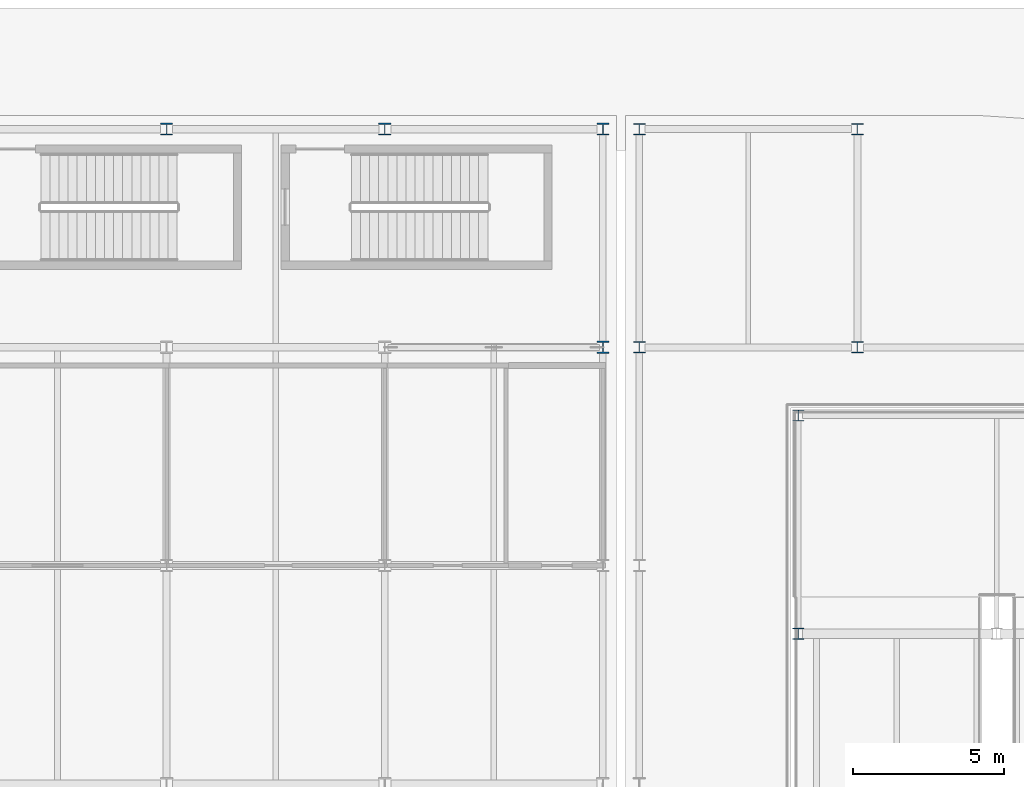
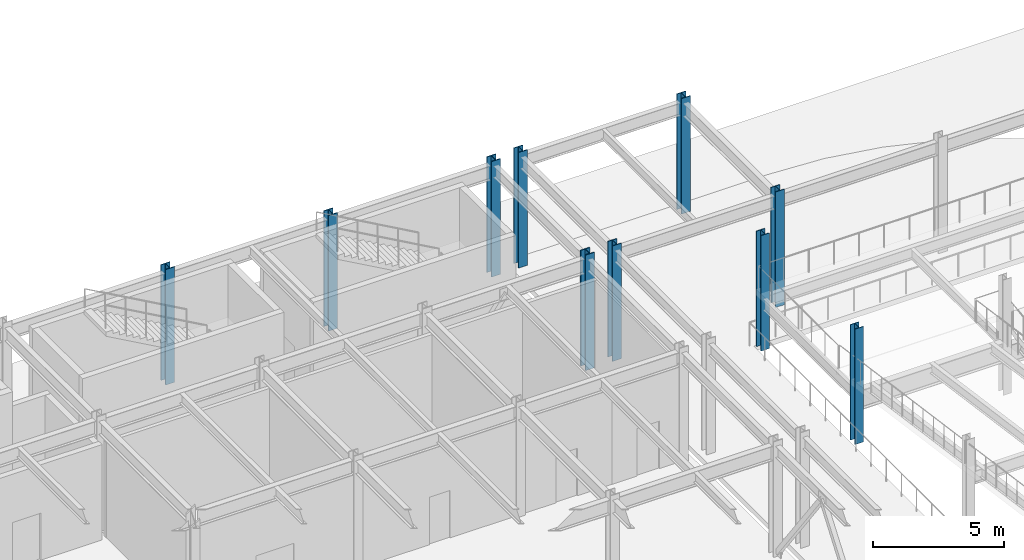
# One storey, part 11 of 104: 10 columns.
"""IFC4 building model written with IfcOpenShell, lengths in metres."""

from ifc_helpers import new_model, si_unit, direction, frame, origin, origin_2d, place, context, subcontext, project, spatial, i_section, extrude, material, material_profile, profile_set, type_object, element, save


model = new_model("IFC4")

# Units and contexts
model_context = context("Model", 3, precision=1e-05, world=origin(), true_north=direction((0.0, 1.0)))
body_context = subcontext(model_context, "Body", "Model", "MODEL_VIEW")
ifc_project = project(units=[si_unit("LENGTHUNIT", "METRE"), si_unit("AREAUNIT", "SQUARE_METRE"), si_unit("VOLUMEUNIT", "CUBIC_METRE"), si_unit("PLANEANGLEUNIT", "RADIAN"), si_unit("MASSUNIT", "GRAM", prefix="KILO")], contexts=[model_context])

# Site, building, storey
site_placement = place(None, origin())
site = spatial("IfcSite", under=ifc_project, at=site_placement, CompositionType="ELEMENT")
building_placement = place(site_placement, origin())
building = spatial("IfcBuilding", under=site, at=building_placement, Name="Vaelcorin Mobility Hub", CompositionType="ELEMENT")
storey_placement = place(building_placement, origin())
storey = spatial("IfcBuildingStorey", under=building, at=storey_placement, Name="L00", CompositionType="ELEMENT", Elevation=0.0)

# Columns
ifc_material = material(Name="Steel ASTM A992 Grade 50", Category="steel")
ifc_material_profile_1 = material_profile(ifc_material, i_section(OverallWidth=0.373046875, OverallDepth=0.373046875, WebThickness=0.016357421875, FlangeThickness=0.026123046875, FilletRadius=0.014892578125, at=origin_2d()), Name="W14X132")
ifc_profile_set_1 = profile_set([ifc_material_profile_1], Name="Steel ASTM A992 Grade 50")
column_type_1 = type_object("IfcColumnType", Name="COL-W14X132", PredefinedType="COLUMN", material=ifc_profile_set_1)
for number, where, z_axis, x_axis, name in (
    (1, (128.85009765625, 103.35009765625, 0.0), (0.0, 0.0, 1.0), (1.0, 0.0, 0.0), "Column V2E-RDRM-WN L00"),
    (2, (128.85009765625, 110.550048828125, 0.0), (0.0, 0.0, 1.0), (1.0, 0.0, 0.0), "Column V2E-RDRM-WB L00"),
):
    element("IfcColumn", number, at=place(storey_placement, frame(where, z_axis=z_axis, x_axis=x_axis)), inside=storey, type_object=column_type_1, Name=name, PredefinedType="COLUMN", context=body_context, shape_type="SweptSolid", body=[
        extrude(i_section(OverallWidth=0.373046875, OverallDepth=0.373046875, WebThickness=0.016357421875, FlangeThickness=0.026123046875, FilletRadius=0.014892578125, at=origin_2d()), origin(), (0.0, 0.0, 1.0), 5.39990234375),
    ])
ifc_material_profile_2 = material_profile(ifc_material, i_section(OverallWidth=0.39599609375, OverallDepth=0.381103515625, WebThickness=0.018798828125, FlangeThickness=0.0302734375, FilletRadius=0.014892578125, at=origin_2d()), Name="W14X159")
ifc_profile_set_2 = profile_set([ifc_material_profile_2], Name="Steel ASTM A992 Grade 50")
column_type_2 = type_object("IfcColumnType", Name="COL-W14X159", PredefinedType="COLUMN", material=ifc_profile_set_2)
for number, where, z_axis, x_axis, name in (
    (3, (123.60009765625, 112.800048828125, 0.0), (0.0, 0.0, 1.0), (1.0, 0.0, 0.0), "Column V2E-G1x6 L00"),
    (4, (123.60009765625, 120.0, 0.0), (0.0, 0.0, 1.0), (1.0, 0.0, 0.0), "Column V2E-G1x7 L00"),
    (5, (130.800048828125, 112.800048828125, 0.0), (0.0, 0.0, 1.0), (1.0, 0.0, 0.0), "Column V2E-G2x6 L00"),
    (6, (130.800048828125, 120.0, 0.0), (0.0, 0.0, 1.0), (1.0, 0.0, 0.0), "Column V2E-G2x7 L00"),
):
    element("IfcColumn", number, at=place(storey_placement, frame(where, z_axis=z_axis, x_axis=x_axis)), inside=storey, type_object=column_type_2, Name=name, PredefinedType="COLUMN", context=body_context, shape_type="SweptSolid", body=[
        extrude(i_section(OverallWidth=0.39599609375, OverallDepth=0.381103515625, WebThickness=0.018798828125, FlangeThickness=0.0302734375, FilletRadius=0.014892578125, at=origin_2d()), origin(), (0.0, 0.0, 1.0), 5.39990234375),
    ])
ifc_material_profile_3 = material_profile(ifc_material, i_section(OverallWidth=0.39892578125, OverallDepth=0.39404296875, WebThickness=0.022705078125, FlangeThickness=0.03662109375, FilletRadius=0.014892578125, at=origin_2d()), Name="W14X193")
ifc_profile_set_3 = profile_set([ifc_material_profile_3], Name="Steel ASTM A992 Grade 50")
column_type_3 = type_object("IfcColumnType", Name="COL-W14X193", PredefinedType="COLUMN", material=ifc_profile_set_3)
for number, where, z_axis, x_axis, name in (
    (7, (108.0, 120.0, 0.0), (0.0, 0.0, 1.0), (1.0, 0.0, 0.0), "Column V4-X11Y07 L00"),
    (8, (115.199951171875, 120.0, 0.0), (0.0, 0.0, 1.0), (1.0, 0.0, 0.0), "Column V4-X12Y07 L00"),
    (9, (122.39990234375, 120.0, 0.0), (0.0, 0.0, 1.0), (1.0, 0.0, 0.0), "Column V4-X13Y07 L00"),
):
    element("IfcColumn", number, at=place(storey_placement, frame(where, z_axis=z_axis, x_axis=x_axis)), inside=storey, type_object=column_type_3, Name=name, PredefinedType="COLUMN", context=body_context, shape_type="SweptSolid", body=[
        extrude(i_section(OverallWidth=0.39892578125, OverallDepth=0.39404296875, WebThickness=0.022705078125, FlangeThickness=0.03662109375, FilletRadius=0.014892578125, at=origin_2d()), origin(), (0.0, 0.0, 1.0), 5.39990234375),
    ])
ifc_material_profile_4 = material_profile(ifc_material, i_section(OverallWidth=0.404052734375, OverallDepth=0.406005859375, WebThickness=0.027099609375, FlangeThickness=0.043701171875, FilletRadius=0.014892578125, at=origin_2d()), Name="W14X233")
ifc_profile_set_4 = profile_set([ifc_material_profile_4], Name="Steel ASTM A992 Grade 50")
column_type_4 = type_object("IfcColumnType", Name="COL-W14X233", PredefinedType="COLUMN", material=ifc_profile_set_4)
column_placement = place(storey_placement, frame((122.39990234375, 112.800048828125, 0.0), z_axis=(0.0, 0.0, 1.0), x_axis=(1.0, 0.0, 0.0)))
element("IfcColumn", 10, at=column_placement, inside=storey, type_object=column_type_4, Name="Column V4-X13Y06 L00", PredefinedType="COLUMN", context=body_context, shape_type="SweptSolid", body=[
    extrude(i_section(OverallWidth=0.404052734375, OverallDepth=0.406005859375, WebThickness=0.027099609375, FlangeThickness=0.043701171875, FilletRadius=0.014892578125, at=origin_2d()), origin(), (0.0, 0.0, 1.0), 5.39990234375),
])

save(model, "model.ifc")
